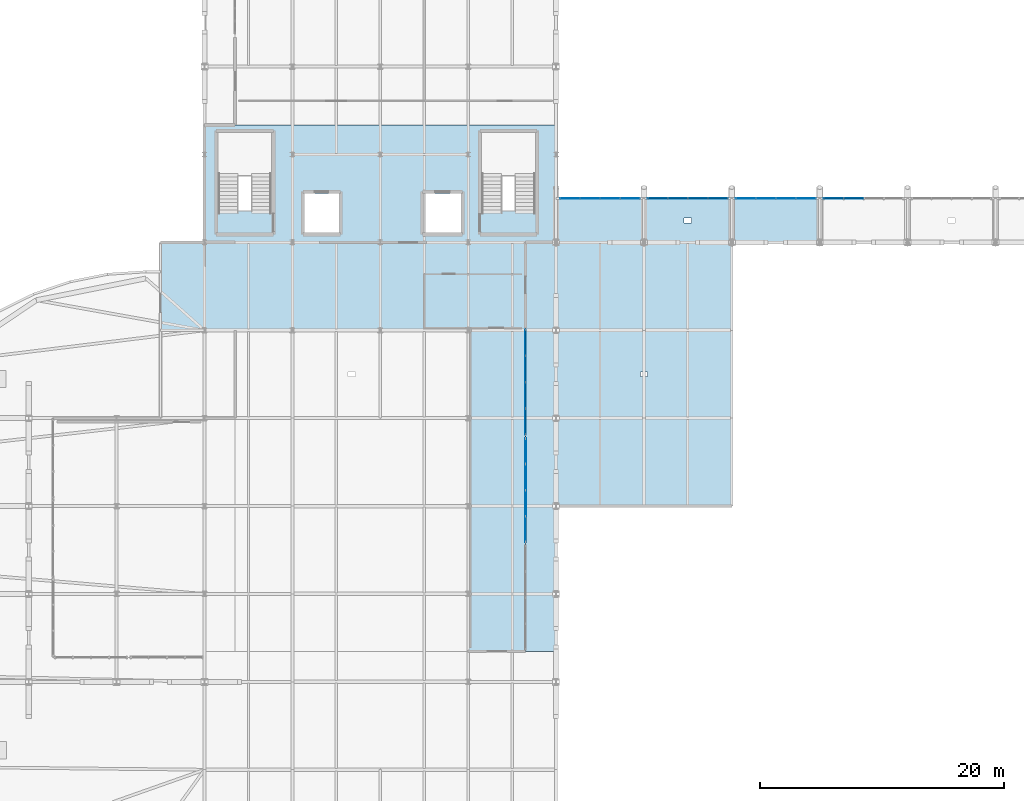
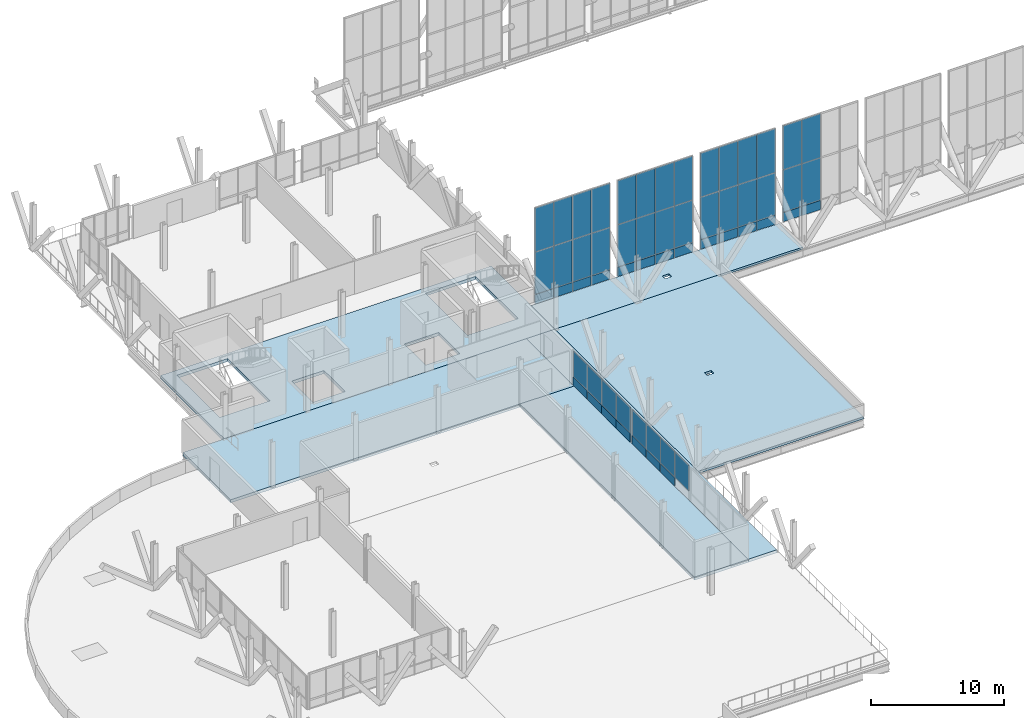
# One storey, part 75 of 102: 57 plates, 6 slabs, 6 elements without a shape of their own.
"""IFC4 building model written with IfcOpenShell, lengths in metres."""

from ifc_helpers import new_model, si_unit, direction, frame, origin, origin_2d, place, context, subcontext, project, spatial, polyline, rectangle, outline, extrude, material, layer, layer_set, type_object, element, aggregate, save


model = new_model("IFC4")

# Units and contexts
model_context = context("Model", 3, precision=1e-05, world=origin(), true_north=direction((0.0, 1.0)))
body_context = subcontext(model_context, "Body", "Model", "MODEL_VIEW")
ifc_project = project(units=[si_unit("LENGTHUNIT", "METRE"), si_unit("AREAUNIT", "SQUARE_METRE"), si_unit("VOLUMEUNIT", "CUBIC_METRE"), si_unit("PLANEANGLEUNIT", "RADIAN"), si_unit("MASSUNIT", "GRAM", prefix="KILO")], contexts=[model_context])

# Site, building, storey
site_placement = place(None, origin())
site = spatial("IfcSite", under=ifc_project, at=site_placement, CompositionType="ELEMENT")
building_placement = place(site_placement, origin())
building = spatial("IfcBuilding", under=site, at=building_placement, Name="Yarey Park Central Fire Station", CompositionType="ELEMENT")
storey_placement = place(building_placement, frame((0.0, 0.0, 6.0)))
storey = spatial("IfcBuildingStorey", under=building, at=storey_placement, Name="L02", CompositionType="ELEMENT", Elevation=6.0)

# Curtain wall, plates
ifc_material_1 = material(Name="Anodized Aluminium Frame", Category="aluminium")
curtain_wall_type_1 = type_object("IfcCurtainWallType", Name="ENV_CW_CLER_9M", PredefinedType="NOTDEFINED", material=ifc_material_1)
curtain_wall_1_placement = place(storey_placement, origin())
curtain_wall_1 = element("IfcCurtainWall", 1, at=curtain_wall_1_placement, inside=storey, type_object=curtain_wall_type_1, Name="CW_V2_CLER_S_01", PredefinedType="NOTDEFINED")
ifc_material_2 = material(Name="Insulated Aluminium Spandrel Panel", Category="aluminium")
ifc_layer_1 = layer(ifc_material_2, 0.068115234375)
ifc_layer_set_1 = layer_set([ifc_layer_1], Name="Insulated Aluminium Spandrel Panel")
plate_type_1 = type_object("IfcPlateType", Name="ENV_PNL_SPN_02", PredefinedType="CURTAIN_PANEL", material=ifc_layer_set_1)
plate_1_placement = place(storey_placement, frame((58.732421875, 61.199951171875, 0.04248046875), z_axis=(0.0, 0.0, 1.0), x_axis=(1.0, 0.0, 0.0)))
plate_1 = element("IfcPlate", 2, at=plate_1_placement, type_object=plate_type_1, Name="CW_V2_CLER_S_01_PNL01", PredefinedType="CURTAIN_PANEL", context=body_context, shape_type="SweptSolid", body=[
    extrude(rectangle(XDim=1.60498046875, YDim=0.068115234375, at=origin_2d()), origin(), (0.0, 0.0, 1.0), 0.840087890625),
])
plate_2_placement = place(storey_placement, frame((60.37744140625, 61.199951171875, 0.04248046875), z_axis=(0.0, 0.0, 1.0), x_axis=(1.0, 0.0, 0.0)))
plate_2 = element("IfcPlate", 3, at=plate_2_placement, type_object=plate_type_1, Name="CW_V2_CLER_S_01_PNL04", PredefinedType="CURTAIN_PANEL", context=body_context, shape_type="SweptSolid", body=[
    extrude(rectangle(XDim=1.60498046875, YDim=0.068115234375, at=origin_2d()), origin(), (0.0, 0.0, 1.0), 0.840087890625),
])
plate_3_placement = place(storey_placement, frame((62.0224609375, 61.199951171875, 0.04248046875), z_axis=(0.0, 0.0, 1.0), x_axis=(1.0, 0.0, 0.0)))
plate_3 = element("IfcPlate", 4, at=plate_3_placement, type_object=plate_type_1, Name="CW_V2_CLER_S_01_PNL07", PredefinedType="CURTAIN_PANEL", context=body_context, shape_type="SweptSolid", body=[
    extrude(rectangle(XDim=1.60498046875, YDim=0.068115234375, at=origin_2d()), origin(), (0.0, 0.0, 1.0), 0.840087890625),
])
plate_4_placement = place(storey_placement, frame((63.66748046875, 61.199951171875, 0.04248046875), z_axis=(0.0, 0.0, 1.0), x_axis=(1.0, 0.0, 0.0)))
plate_4 = element("IfcPlate", 5, at=plate_4_placement, type_object=plate_type_1, Name="CW_V2_CLER_S_01_PNL10", PredefinedType="CURTAIN_PANEL", context=body_context, shape_type="SweptSolid", body=[
    extrude(rectangle(XDim=1.60498046875, YDim=0.068115234375, at=origin_2d()), origin(), (0.0, 0.0, 1.0), 0.840087890625),
])

curtain_wall_2_placement = place(storey_placement, origin())
curtain_wall_2 = element("IfcCurtainWall", 6, at=curtain_wall_2_placement, inside=storey, type_object=curtain_wall_type_1, Name="CW_V2_CLER_S_03", PredefinedType="NOTDEFINED")
plate_5_placement = place(storey_placement, frame((73.132568359375, 61.199951171875, 0.04248046875), z_axis=(0.0, 0.0, 1.0), x_axis=(1.0, 0.0, 0.0)))
plate_5 = element("IfcPlate", 7, at=plate_5_placement, type_object=plate_type_1, Name="CW_V2_CLER_S_03_PNL01", PredefinedType="CURTAIN_PANEL", context=body_context, shape_type="SweptSolid", body=[
    extrude(rectangle(XDim=1.60498046875, YDim=0.068115234375, at=origin_2d()), origin(), (0.0, 0.0, 1.0), 0.840087890625),
])
plate_6_placement = place(storey_placement, frame((74.777587890625, 61.199951171875, 0.04248046875), z_axis=(0.0, 0.0, 1.0), x_axis=(1.0, 0.0, 0.0)))
plate_6 = element("IfcPlate", 8, at=plate_6_placement, type_object=plate_type_1, Name="CW_V2_CLER_S_03_PNL04", PredefinedType="CURTAIN_PANEL", context=body_context, shape_type="SweptSolid", body=[
    extrude(rectangle(XDim=1.60498046875, YDim=0.068115234375, at=origin_2d()), origin(), (0.0, 0.0, 1.0), 0.840087890625),
])
plate_7_placement = place(storey_placement, frame((76.422607421875, 61.199951171875, 0.04248046875), z_axis=(0.0, 0.0, 1.0), x_axis=(1.0, 0.0, 0.0)))
plate_7 = element("IfcPlate", 9, at=plate_7_placement, type_object=plate_type_1, Name="CW_V2_CLER_S_03_PNL07", PredefinedType="CURTAIN_PANEL", context=body_context, shape_type="SweptSolid", body=[
    extrude(rectangle(XDim=1.60498046875, YDim=0.068115234375, at=origin_2d()), origin(), (0.0, 0.0, 1.0), 0.840087890625),
])
plate_8_placement = place(storey_placement, frame((78.0673828125, 61.199951171875, 0.04248046875), z_axis=(0.0, 0.0, 1.0), x_axis=(1.0, 0.0, 0.0)))
plate_8 = element("IfcPlate", 10, at=plate_8_placement, type_object=plate_type_1, Name="CW_V2_CLER_S_03_PNL10", PredefinedType="CURTAIN_PANEL", context=body_context, shape_type="SweptSolid", body=[
    extrude(rectangle(XDim=1.60498046875, YDim=0.068115234375, at=origin_2d()), origin(), (0.0, 0.0, 1.0), 0.840087890625),
])

curtain_wall_type_2 = type_object("IfcCurtainWallType", Name="ENV_CW_V3_GALW", PredefinedType="NOTDEFINED", material=ifc_material_1)
curtain_wall_3_placement = place(storey_placement, origin())
curtain_wall_3 = element("IfcCurtainWall", 11, at=curtain_wall_3_placement, inside=storey, type_object=curtain_wall_type_2, Name="CW_L02_V1_E_038", PredefinedType="NOTDEFINED")
ifc_layer_2 = layer(ifc_material_2, 0.077880859375)
ifc_layer_set_2 = layer_set([ifc_layer_2], Name="Insulated Aluminium Spandrel Panel")
plate_type_2 = type_object("IfcPlateType", Name="ENV_PNL_SPN_03", PredefinedType="CURTAIN_PANEL", material=ifc_layer_set_2)
plate_9_placement = place(storey_placement, frame((55.10009765625, 36.22998046875, 0.04248046875), z_axis=(0.0, 0.0, 1.0), x_axis=(0.0, 1.0, 0.0)))
plate_9 = element("IfcPlate", 12, at=plate_9_placement, type_object=plate_type_2, Name="CW_L02_V1_E_038_PNL03", PredefinedType="CURTAIN_PANEL", context=body_context, shape_type="SweptSolid", body=[
    extrude(rectangle(XDim=2.10009765625, YDim=0.077880859375, at=origin_2d()), origin(), (0.0, 0.0, 1.0), 0.7900390625),
])
plate_10_placement = place(storey_placement, frame((55.10009765625, 38.3701171875, 0.04248046875), z_axis=(0.0, 0.0, 1.0), x_axis=(0.0, 1.0, 0.0)))
plate_10 = element("IfcPlate", 13, at=plate_10_placement, type_object=plate_type_2, Name="CW_L02_V1_E_038_PNL05", PredefinedType="CURTAIN_PANEL", context=body_context, shape_type="SweptSolid", body=[
    extrude(rectangle(XDim=2.10009765625, YDim=0.077880859375, at=origin_2d()), origin(), (0.0, 0.0, 1.0), 0.7900390625),
])
plate_11_placement = place(storey_placement, frame((55.10009765625, 40.510009765625, 0.04248046875), z_axis=(0.0, 0.0, 1.0), x_axis=(0.0, 1.0, 0.0)))
plate_11 = element("IfcPlate", 14, at=plate_11_placement, type_object=plate_type_2, Name="CW_L02_V1_E_038_PNL07", PredefinedType="CURTAIN_PANEL", context=body_context, shape_type="SweptSolid", body=[
    extrude(rectangle(XDim=2.10009765625, YDim=0.077880859375, at=origin_2d()), origin(), (0.0, 0.0, 1.0), 0.7900390625),
])

curtain_wall_4_placement = place(storey_placement, origin())
curtain_wall_4 = element("IfcCurtainWall", 15, at=curtain_wall_4_placement, inside=storey, type_object=curtain_wall_type_1, Name="CW_V2_CLER_S_02", PredefinedType="NOTDEFINED")
ifc_layer_3 = layer(ifc_material_2, 0.087890625)
ifc_layer_set_3 = layer_set([ifc_layer_3], Name="Insulated Aluminium Spandrel Panel")
plate_type_3 = type_object("IfcPlateType", Name="ENV_PNL_SPN_04", PredefinedType="CURTAIN_PANEL", material=ifc_layer_set_3)
plate_12_placement = place(storey_placement, frame((65.9326171875, 61.199951171875, 0.04248046875), z_axis=(0.0, 0.0, 1.0), x_axis=(1.0, 0.0, 0.0)))
plate_12 = element("IfcPlate", 16, at=plate_12_placement, type_object=plate_type_3, Name="CW_V2_CLER_S_02_PNL01", PredefinedType="CURTAIN_PANEL", context=body_context, shape_type="SweptSolid", body=[
    extrude(rectangle(XDim=1.60498046875, YDim=0.087890625, at=origin_2d()), origin(), (0.0, 0.0, 1.0), 0.840087890625),
])
plate_13_placement = place(storey_placement, frame((67.577392578125, 61.199951171875, 0.04248046875), z_axis=(0.0, 0.0, 1.0), x_axis=(1.0, 0.0, 0.0)))
plate_13 = element("IfcPlate", 17, at=plate_13_placement, type_object=plate_type_3, Name="CW_V2_CLER_S_02_PNL04", PredefinedType="CURTAIN_PANEL", context=body_context, shape_type="SweptSolid", body=[
    extrude(rectangle(XDim=1.60498046875, YDim=0.087890625, at=origin_2d()), origin(), (0.0, 0.0, 1.0), 0.840087890625),
])
plate_14_placement = place(storey_placement, frame((69.222412109375, 61.199951171875, 0.04248046875), z_axis=(0.0, 0.0, 1.0), x_axis=(1.0, 0.0, 0.0)))
plate_14 = element("IfcPlate", 18, at=plate_14_placement, type_object=plate_type_3, Name="CW_V2_CLER_S_02_PNL07", PredefinedType="CURTAIN_PANEL", context=body_context, shape_type="SweptSolid", body=[
    extrude(rectangle(XDim=1.60498046875, YDim=0.087890625, at=origin_2d()), origin(), (0.0, 0.0, 1.0), 0.840087890625),
])
plate_15_placement = place(storey_placement, frame((70.867431640625, 61.199951171875, 0.04248046875), z_axis=(0.0, 0.0, 1.0), x_axis=(1.0, 0.0, 0.0)))
plate_15 = element("IfcPlate", 19, at=plate_15_placement, type_object=plate_type_3, Name="CW_V2_CLER_S_02_PNL10", PredefinedType="CURTAIN_PANEL", context=body_context, shape_type="SweptSolid", body=[
    extrude(rectangle(XDim=1.60498046875, YDim=0.087890625, at=origin_2d()), origin(), (0.0, 0.0, 1.0), 0.840087890625),
])

curtain_wall_5_placement = place(storey_placement, origin())
curtain_wall_5 = element("IfcCurtainWall", 20, at=curtain_wall_5_placement, inside=storey, type_object=curtain_wall_type_1, Name="CW_V2_CLER_S_04", PredefinedType="NOTDEFINED")
plate_16_placement = place(storey_placement, frame((80.33251953125, 61.199951171875, 0.04248046875), z_axis=(0.0, 0.0, 1.0), x_axis=(1.0, 0.0, 0.0)))
plate_16 = element("IfcPlate", 21, at=plate_16_placement, type_object=plate_type_3, Name="CW_V2_CLER_S_04_PNL01", PredefinedType="CURTAIN_PANEL", context=body_context, shape_type="SweptSolid", body=[
    extrude(rectangle(XDim=1.60498046875, YDim=0.087890625, at=origin_2d()), origin(), (0.0, 0.0, 1.0), 0.840087890625),
])
plate_17_placement = place(storey_placement, frame((81.9775390625, 61.199951171875, 0.04248046875), z_axis=(0.0, 0.0, 1.0), x_axis=(1.0, 0.0, 0.0)))
plate_17 = element("IfcPlate", 22, at=plate_17_placement, type_object=plate_type_3, Name="CW_V2_CLER_S_04_PNL04", PredefinedType="CURTAIN_PANEL", context=body_context, shape_type="SweptSolid", body=[
    extrude(rectangle(XDim=1.60498046875, YDim=0.087890625, at=origin_2d()), origin(), (0.0, 0.0, 1.0), 0.840087890625),
])

curtain_wall_6_placement = place(storey_placement, origin())
curtain_wall_6 = element("IfcCurtainWall", 23, at=curtain_wall_6_placement, inside=storey, type_object=curtain_wall_type_2, Name="CW_L02_V1_E_039", PredefinedType="NOTDEFINED")
plate_18_placement = place(storey_placement, frame((55.10009765625, 42.902587890625, 0.04248046875), z_axis=(0.0, 0.0, 1.0), x_axis=(0.0, 1.0, 0.0)))
plate_18 = element("IfcPlate", 24, at=plate_18_placement, type_object=plate_type_3, Name="CW_L02_V1_E_039_PNL01", PredefinedType="CURTAIN_PANEL", context=body_context, shape_type="SweptSolid", body=[
    extrude(rectangle(XDim=2.125, YDim=0.087890625, at=origin_2d()), origin(), (0.0, 0.0, 1.0), 0.7900390625),
])
plate_19_placement = place(storey_placement, frame((55.10009765625, 45.0673828125, 0.04248046875), z_axis=(0.0, 0.0, 1.0), x_axis=(0.0, 1.0, 0.0)))
plate_19 = element("IfcPlate", 25, at=plate_19_placement, type_object=plate_type_3, Name="CW_L02_V1_E_039_PNL03", PredefinedType="CURTAIN_PANEL", context=body_context, shape_type="SweptSolid", body=[
    extrude(rectangle(XDim=2.125, YDim=0.087890625, at=origin_2d()), origin(), (0.0, 0.0, 1.0), 0.7900390625),
])
plate_20_placement = place(storey_placement, frame((55.10009765625, 47.232421875, 0.04248046875), z_axis=(0.0, 0.0, 1.0), x_axis=(0.0, 1.0, 0.0)))
plate_20 = element("IfcPlate", 26, at=plate_20_placement, type_object=plate_type_3, Name="CW_L02_V1_E_039_PNL05", PredefinedType="CURTAIN_PANEL", context=body_context, shape_type="SweptSolid", body=[
    extrude(rectangle(XDim=2.125, YDim=0.087890625, at=origin_2d()), origin(), (0.0, 0.0, 1.0), 0.7900390625),
])
plate_21_placement = place(storey_placement, frame((55.10009765625, 49.3974609375, 0.04248046875), z_axis=(0.0, 0.0, 1.0), x_axis=(0.0, 1.0, 0.0)))
plate_21 = element("IfcPlate", 27, at=plate_21_placement, type_object=plate_type_3, Name="CW_L02_V1_E_039_PNL07", PredefinedType="CURTAIN_PANEL", context=body_context, shape_type="SweptSolid", body=[
    extrude(rectangle(XDim=2.125, YDim=0.087890625, at=origin_2d()), origin(), (0.0, 0.0, 1.0), 0.7900390625),
])

# Plate
ifc_material_3 = material(Name="Laminated Hurricane Low-E Glass", Category="glass")
ifc_layer_4 = layer(ifc_material_3, 0.031982421875)
ifc_layer_set_4 = layer_set([ifc_layer_4], Name="Laminated Hurricane Low-E Glass")
plate_type_4 = type_object("IfcPlateType", Name="ENV_PNL_VIS_02", PredefinedType="CURTAIN_PANEL", material=ifc_layer_set_4)
plate_22_placement = place(storey_placement, frame((58.732421875, 61.199951171875, 0.91748046875), z_axis=(0.0, 0.0, 1.0), x_axis=(1.0, 0.0, 0.0)))
plate_22 = element("IfcPlate", 28, at=plate_22_placement, type_object=plate_type_4, Name="CW_V2_CLER_S_01_PNL02", PredefinedType="CURTAIN_PANEL", context=body_context, shape_type="SweptSolid", body=[
    extrude(rectangle(XDim=1.60498046875, YDim=0.031982421875, at=origin_2d()), origin(), (0.0, 0.0, 1.0), 3.87109375),
])

plate_23_placement = place(storey_placement, frame((58.732421875, 61.199951171875, 4.82373046875), z_axis=(0.0, 0.0, 1.0), x_axis=(1.0, 0.0, 0.0)))
plate_23 = element("IfcPlate", 29, at=plate_23_placement, type_object=plate_type_4, Name="CW_V2_CLER_S_01_PNL03", PredefinedType="CURTAIN_PANEL", context=body_context, shape_type="SweptSolid", body=[
    extrude(rectangle(XDim=1.60498046875, YDim=0.031982421875, at=origin_2d()), origin(), (0.0, 0.0, 1.0), 4.033935546875),
])

plate_24_placement = place(storey_placement, frame((60.37744140625, 61.199951171875, 0.91748046875), z_axis=(0.0, 0.0, 1.0), x_axis=(1.0, 0.0, 0.0)))
plate_24 = element("IfcPlate", 30, at=plate_24_placement, type_object=plate_type_4, Name="CW_V2_CLER_S_01_PNL05", PredefinedType="CURTAIN_PANEL", context=body_context, shape_type="SweptSolid", body=[
    extrude(rectangle(XDim=1.60498046875, YDim=0.031982421875, at=origin_2d()), origin(), (0.0, 0.0, 1.0), 3.87109375),
])

plate_25_placement = place(storey_placement, frame((60.37744140625, 61.199951171875, 4.82373046875), z_axis=(0.0, 0.0, 1.0), x_axis=(1.0, 0.0, 0.0)))
plate_25 = element("IfcPlate", 31, at=plate_25_placement, type_object=plate_type_4, Name="CW_V2_CLER_S_01_PNL06", PredefinedType="CURTAIN_PANEL", context=body_context, shape_type="SweptSolid", body=[
    extrude(rectangle(XDim=1.60498046875, YDim=0.031982421875, at=origin_2d()), origin(), (0.0, 0.0, 1.0), 4.033935546875),
])

plate_26_placement = place(storey_placement, frame((62.0224609375, 61.199951171875, 0.91748046875), z_axis=(0.0, 0.0, 1.0), x_axis=(1.0, 0.0, 0.0)))
plate_26 = element("IfcPlate", 32, at=plate_26_placement, type_object=plate_type_4, Name="CW_V2_CLER_S_01_PNL08", PredefinedType="CURTAIN_PANEL", context=body_context, shape_type="SweptSolid", body=[
    extrude(rectangle(XDim=1.60498046875, YDim=0.031982421875, at=origin_2d()), origin(), (0.0, 0.0, 1.0), 3.87109375),
])

plate_27_placement = place(storey_placement, frame((62.0224609375, 61.199951171875, 4.82373046875), z_axis=(0.0, 0.0, 1.0), x_axis=(1.0, 0.0, 0.0)))
plate_27 = element("IfcPlate", 33, at=plate_27_placement, type_object=plate_type_4, Name="CW_V2_CLER_S_01_PNL09", PredefinedType="CURTAIN_PANEL", context=body_context, shape_type="SweptSolid", body=[
    extrude(rectangle(XDim=1.60498046875, YDim=0.031982421875, at=origin_2d()), origin(), (0.0, 0.0, 1.0), 4.033935546875),
])

plate_28_placement = place(storey_placement, frame((63.66748046875, 61.199951171875, 0.91748046875), z_axis=(0.0, 0.0, 1.0), x_axis=(1.0, 0.0, 0.0)))
plate_28 = element("IfcPlate", 34, at=plate_28_placement, type_object=plate_type_4, Name="CW_V2_CLER_S_01_PNL11", PredefinedType="CURTAIN_PANEL", context=body_context, shape_type="SweptSolid", body=[
    extrude(rectangle(XDim=1.60498046875, YDim=0.031982421875, at=origin_2d()), origin(), (0.0, 0.0, 1.0), 3.87109375),
])

plate_29_placement = place(storey_placement, frame((63.66748046875, 61.199951171875, 4.82373046875), z_axis=(0.0, 0.0, 1.0), x_axis=(1.0, 0.0, 0.0)))
plate_29 = element("IfcPlate", 35, at=plate_29_placement, type_object=plate_type_4, Name="CW_V2_CLER_S_01_PNL12", PredefinedType="CURTAIN_PANEL", context=body_context, shape_type="SweptSolid", body=[
    extrude(rectangle(XDim=1.60498046875, YDim=0.031982421875, at=origin_2d()), origin(), (0.0, 0.0, 1.0), 4.033935546875),
])

aggregate(curtain_wall_1, [plate_1, plate_22, plate_23, plate_2, plate_24, plate_25, plate_3, plate_26, plate_27, plate_4, plate_28, plate_29])

plate_30_placement = place(storey_placement, frame((73.132568359375, 61.199951171875, 0.91748046875), z_axis=(0.0, 0.0, 1.0), x_axis=(1.0, 0.0, 0.0)))
plate_30 = element("IfcPlate", 36, at=plate_30_placement, type_object=plate_type_4, Name="CW_V2_CLER_S_03_PNL02", PredefinedType="CURTAIN_PANEL", context=body_context, shape_type="SweptSolid", body=[
    extrude(rectangle(XDim=1.60498046875, YDim=0.031982421875, at=origin_2d()), origin(), (0.0, 0.0, 1.0), 3.87109375),
])

plate_31_placement = place(storey_placement, frame((73.132568359375, 61.199951171875, 4.82373046875), z_axis=(0.0, 0.0, 1.0), x_axis=(1.0, 0.0, 0.0)))
plate_31 = element("IfcPlate", 37, at=plate_31_placement, type_object=plate_type_4, Name="CW_V2_CLER_S_03_PNL03", PredefinedType="CURTAIN_PANEL", context=body_context, shape_type="SweptSolid", body=[
    extrude(rectangle(XDim=1.60498046875, YDim=0.031982421875, at=origin_2d()), origin(), (0.0, 0.0, 1.0), 4.033935546875),
])

plate_32_placement = place(storey_placement, frame((74.777587890625, 61.199951171875, 0.91748046875), z_axis=(0.0, 0.0, 1.0), x_axis=(1.0, 0.0, 0.0)))
plate_32 = element("IfcPlate", 38, at=plate_32_placement, type_object=plate_type_4, Name="CW_V2_CLER_S_03_PNL05", PredefinedType="CURTAIN_PANEL", context=body_context, shape_type="SweptSolid", body=[
    extrude(rectangle(XDim=1.60498046875, YDim=0.031982421875, at=origin_2d()), origin(), (0.0, 0.0, 1.0), 3.87109375),
])

plate_33_placement = place(storey_placement, frame((74.777587890625, 61.199951171875, 4.82373046875), z_axis=(0.0, 0.0, 1.0), x_axis=(1.0, 0.0, 0.0)))
plate_33 = element("IfcPlate", 39, at=plate_33_placement, type_object=plate_type_4, Name="CW_V2_CLER_S_03_PNL06", PredefinedType="CURTAIN_PANEL", context=body_context, shape_type="SweptSolid", body=[
    extrude(rectangle(XDim=1.60498046875, YDim=0.031982421875, at=origin_2d()), origin(), (0.0, 0.0, 1.0), 4.033935546875),
])

plate_34_placement = place(storey_placement, frame((76.422607421875, 61.199951171875, 0.91748046875), z_axis=(0.0, 0.0, 1.0), x_axis=(1.0, 0.0, 0.0)))
plate_34 = element("IfcPlate", 40, at=plate_34_placement, type_object=plate_type_4, Name="CW_V2_CLER_S_03_PNL08", PredefinedType="CURTAIN_PANEL", context=body_context, shape_type="SweptSolid", body=[
    extrude(rectangle(XDim=1.60498046875, YDim=0.031982421875, at=origin_2d()), origin(), (0.0, 0.0, 1.0), 3.87109375),
])

plate_35_placement = place(storey_placement, frame((76.422607421875, 61.199951171875, 4.82373046875), z_axis=(0.0, 0.0, 1.0), x_axis=(1.0, 0.0, 0.0)))
plate_35 = element("IfcPlate", 41, at=plate_35_placement, type_object=plate_type_4, Name="CW_V2_CLER_S_03_PNL09", PredefinedType="CURTAIN_PANEL", context=body_context, shape_type="SweptSolid", body=[
    extrude(rectangle(XDim=1.60498046875, YDim=0.031982421875, at=origin_2d()), origin(), (0.0, 0.0, 1.0), 4.033935546875),
])

plate_36_placement = place(storey_placement, frame((78.0673828125, 61.199951171875, 0.91748046875), z_axis=(0.0, 0.0, 1.0), x_axis=(1.0, 0.0, 0.0)))
plate_36 = element("IfcPlate", 42, at=plate_36_placement, type_object=plate_type_4, Name="CW_V2_CLER_S_03_PNL11", PredefinedType="CURTAIN_PANEL", context=body_context, shape_type="SweptSolid", body=[
    extrude(rectangle(XDim=1.60498046875, YDim=0.031982421875, at=origin_2d()), origin(), (0.0, 0.0, 1.0), 3.87109375),
])

plate_37_placement = place(storey_placement, frame((78.0673828125, 61.199951171875, 4.82373046875), z_axis=(0.0, 0.0, 1.0), x_axis=(1.0, 0.0, 0.0)))
plate_37 = element("IfcPlate", 43, at=plate_37_placement, type_object=plate_type_4, Name="CW_V2_CLER_S_03_PNL12", PredefinedType="CURTAIN_PANEL", context=body_context, shape_type="SweptSolid", body=[
    extrude(rectangle(XDim=1.60498046875, YDim=0.031982421875, at=origin_2d()), origin(), (0.0, 0.0, 1.0), 4.033935546875),
])

aggregate(curtain_wall_2, [plate_5, plate_30, plate_31, plate_6, plate_32, plate_33, plate_7, plate_34, plate_35, plate_8, plate_36, plate_37])

ifc_layer_5 = layer(ifc_material_3, 0.0380859375)
ifc_layer_set_5 = layer_set([ifc_layer_5], Name="Laminated Hurricane Low-E Glass")
plate_type_5 = type_object("IfcPlateType", Name="ENV_PNL_VIS_03", PredefinedType="CURTAIN_PANEL", material=ifc_layer_set_5)
plate_38_placement = place(storey_placement, frame((55.10009765625, 34.090087890625, 0.867431640625), z_axis=(0.0, 0.0, 1.0), x_axis=(0.0, 1.0, 0.0)))
plate_38 = element("IfcPlate", 44, at=plate_38_placement, type_object=plate_type_5, Name="CW_L02_V1_E_038_PNL02", PredefinedType="CURTAIN_PANEL", context=body_context, shape_type="SweptSolid", body=[
    extrude(rectangle(XDim=2.10009765625, YDim=0.0380859375, at=origin_2d()), origin(), (0.0, 0.0, 1.0), 2.3369140625),
])

plate_39_placement = place(storey_placement, frame((55.10009765625, 36.22998046875, 0.867431640625), z_axis=(0.0, 0.0, 1.0), x_axis=(0.0, 1.0, 0.0)))
plate_39 = element("IfcPlate", 45, at=plate_39_placement, type_object=plate_type_5, Name="CW_L02_V1_E_038_PNL04", PredefinedType="CURTAIN_PANEL", context=body_context, shape_type="SweptSolid", body=[
    extrude(rectangle(XDim=2.10009765625, YDim=0.0380859375, at=origin_2d()), origin(), (0.0, 0.0, 1.0), 2.3369140625),
])

plate_40_placement = place(storey_placement, frame((55.10009765625, 38.3701171875, 0.867431640625), z_axis=(0.0, 0.0, 1.0), x_axis=(0.0, 1.0, 0.0)))
plate_40 = element("IfcPlate", 46, at=plate_40_placement, type_object=plate_type_5, Name="CW_L02_V1_E_038_PNL06", PredefinedType="CURTAIN_PANEL", context=body_context, shape_type="SweptSolid", body=[
    extrude(rectangle(XDim=2.10009765625, YDim=0.0380859375, at=origin_2d()), origin(), (0.0, 0.0, 1.0), 2.3369140625),
])

plate_41_placement = place(storey_placement, frame((55.10009765625, 40.510009765625, 0.867431640625), z_axis=(0.0, 0.0, 1.0), x_axis=(0.0, 1.0, 0.0)))
plate_41 = element("IfcPlate", 47, at=plate_41_placement, type_object=plate_type_5, Name="CW_L02_V1_E_038_PNL08", PredefinedType="CURTAIN_PANEL", context=body_context, shape_type="SweptSolid", body=[
    extrude(rectangle(XDim=2.10009765625, YDim=0.0380859375, at=origin_2d()), origin(), (0.0, 0.0, 1.0), 2.3369140625),
])

aggregate(curtain_wall_3, [plate_38, plate_9, plate_39, plate_10, plate_40, plate_11, plate_41])

ifc_layer_6 = layer(ifc_material_3, 0.0458984375)
ifc_layer_set_6 = layer_set([ifc_layer_6], Name="Laminated Hurricane Low-E Glass")
plate_type_6 = type_object("IfcPlateType", Name="ENV_PNL_VIS_04", PredefinedType="CURTAIN_PANEL", material=ifc_layer_set_6)
plate_42_placement = place(storey_placement, frame((65.9326171875, 61.199951171875, 0.91748046875), z_axis=(0.0, 0.0, 1.0), x_axis=(1.0, 0.0, 0.0)))
plate_42 = element("IfcPlate", 48, at=plate_42_placement, type_object=plate_type_6, Name="CW_V2_CLER_S_02_PNL02", PredefinedType="CURTAIN_PANEL", context=body_context, shape_type="SweptSolid", body=[
    extrude(rectangle(XDim=1.60498046875, YDim=0.0458984375, at=origin_2d()), origin(), (0.0, 0.0, 1.0), 3.87109375),
])

plate_43_placement = place(storey_placement, frame((65.9326171875, 61.199951171875, 4.82373046875), z_axis=(0.0, 0.0, 1.0), x_axis=(1.0, 0.0, 0.0)))
plate_43 = element("IfcPlate", 49, at=plate_43_placement, type_object=plate_type_6, Name="CW_V2_CLER_S_02_PNL03", PredefinedType="CURTAIN_PANEL", context=body_context, shape_type="SweptSolid", body=[
    extrude(rectangle(XDim=1.60498046875, YDim=0.0458984375, at=origin_2d()), origin(), (0.0, 0.0, 1.0), 4.033935546875),
])

plate_44_placement = place(storey_placement, frame((67.577392578125, 61.199951171875, 0.91748046875), z_axis=(0.0, 0.0, 1.0), x_axis=(1.0, 0.0, 0.0)))
plate_44 = element("IfcPlate", 50, at=plate_44_placement, type_object=plate_type_6, Name="CW_V2_CLER_S_02_PNL05", PredefinedType="CURTAIN_PANEL", context=body_context, shape_type="SweptSolid", body=[
    extrude(rectangle(XDim=1.60498046875, YDim=0.0458984375, at=origin_2d()), origin(), (0.0, 0.0, 1.0), 3.87109375),
])

plate_45_placement = place(storey_placement, frame((67.577392578125, 61.199951171875, 4.82373046875), z_axis=(0.0, 0.0, 1.0), x_axis=(1.0, 0.0, 0.0)))
plate_45 = element("IfcPlate", 51, at=plate_45_placement, type_object=plate_type_6, Name="CW_V2_CLER_S_02_PNL06", PredefinedType="CURTAIN_PANEL", context=body_context, shape_type="SweptSolid", body=[
    extrude(rectangle(XDim=1.60498046875, YDim=0.0458984375, at=origin_2d()), origin(), (0.0, 0.0, 1.0), 4.033935546875),
])

plate_46_placement = place(storey_placement, frame((69.222412109375, 61.199951171875, 0.91748046875), z_axis=(0.0, 0.0, 1.0), x_axis=(1.0, 0.0, 0.0)))
plate_46 = element("IfcPlate", 52, at=plate_46_placement, type_object=plate_type_6, Name="CW_V2_CLER_S_02_PNL08", PredefinedType="CURTAIN_PANEL", context=body_context, shape_type="SweptSolid", body=[
    extrude(rectangle(XDim=1.60498046875, YDim=0.0458984375, at=origin_2d()), origin(), (0.0, 0.0, 1.0), 3.87109375),
])

plate_47_placement = place(storey_placement, frame((69.222412109375, 61.199951171875, 4.82373046875), z_axis=(0.0, 0.0, 1.0), x_axis=(1.0, 0.0, 0.0)))
plate_47 = element("IfcPlate", 53, at=plate_47_placement, type_object=plate_type_6, Name="CW_V2_CLER_S_02_PNL09", PredefinedType="CURTAIN_PANEL", context=body_context, shape_type="SweptSolid", body=[
    extrude(rectangle(XDim=1.60498046875, YDim=0.0458984375, at=origin_2d()), origin(), (0.0, 0.0, 1.0), 4.033935546875),
])

plate_48_placement = place(storey_placement, frame((70.867431640625, 61.199951171875, 0.91748046875), z_axis=(0.0, 0.0, 1.0), x_axis=(1.0, 0.0, 0.0)))
plate_48 = element("IfcPlate", 54, at=plate_48_placement, type_object=plate_type_6, Name="CW_V2_CLER_S_02_PNL11", PredefinedType="CURTAIN_PANEL", context=body_context, shape_type="SweptSolid", body=[
    extrude(rectangle(XDim=1.60498046875, YDim=0.0458984375, at=origin_2d()), origin(), (0.0, 0.0, 1.0), 3.87109375),
])

plate_49_placement = place(storey_placement, frame((70.867431640625, 61.199951171875, 4.82373046875), z_axis=(0.0, 0.0, 1.0), x_axis=(1.0, 0.0, 0.0)))
plate_49 = element("IfcPlate", 55, at=plate_49_placement, type_object=plate_type_6, Name="CW_V2_CLER_S_02_PNL12", PredefinedType="CURTAIN_PANEL", context=body_context, shape_type="SweptSolid", body=[
    extrude(rectangle(XDim=1.60498046875, YDim=0.0458984375, at=origin_2d()), origin(), (0.0, 0.0, 1.0), 4.033935546875),
])

aggregate(curtain_wall_4, [plate_12, plate_42, plate_43, plate_13, plate_44, plate_45, plate_14, plate_46, plate_47, plate_15, plate_48, plate_49])

plate_50_placement = place(storey_placement, frame((80.33251953125, 61.199951171875, 0.91748046875), z_axis=(0.0, 0.0, 1.0), x_axis=(1.0, 0.0, 0.0)))
plate_50 = element("IfcPlate", 56, at=plate_50_placement, type_object=plate_type_6, Name="CW_V2_CLER_S_04_PNL02", PredefinedType="CURTAIN_PANEL", context=body_context, shape_type="SweptSolid", body=[
    extrude(rectangle(XDim=1.60498046875, YDim=0.0458984375, at=origin_2d()), origin(), (0.0, 0.0, 1.0), 3.87109375),
])

plate_51_placement = place(storey_placement, frame((80.33251953125, 61.199951171875, 4.82373046875), z_axis=(0.0, 0.0, 1.0), x_axis=(1.0, 0.0, 0.0)))
plate_51 = element("IfcPlate", 57, at=plate_51_placement, type_object=plate_type_6, Name="CW_V2_CLER_S_04_PNL03", PredefinedType="CURTAIN_PANEL", context=body_context, shape_type="SweptSolid", body=[
    extrude(rectangle(XDim=1.60498046875, YDim=0.0458984375, at=origin_2d()), origin(), (0.0, 0.0, 1.0), 4.033935546875),
])

plate_52_placement = place(storey_placement, frame((81.9775390625, 61.199951171875, 0.91748046875), z_axis=(0.0, 0.0, 1.0), x_axis=(1.0, 0.0, 0.0)))
plate_52 = element("IfcPlate", 58, at=plate_52_placement, type_object=plate_type_6, Name="CW_V2_CLER_S_04_PNL05", PredefinedType="CURTAIN_PANEL", context=body_context, shape_type="SweptSolid", body=[
    extrude(rectangle(XDim=1.60498046875, YDim=0.0458984375, at=origin_2d()), origin(), (0.0, 0.0, 1.0), 3.87109375),
])

plate_53_placement = place(storey_placement, frame((81.9775390625, 61.199951171875, 4.82373046875), z_axis=(0.0, 0.0, 1.0), x_axis=(1.0, 0.0, 0.0)))
plate_53 = element("IfcPlate", 59, at=plate_53_placement, type_object=plate_type_6, Name="CW_V2_CLER_S_04_PNL06", PredefinedType="CURTAIN_PANEL", context=body_context, shape_type="SweptSolid", body=[
    extrude(rectangle(XDim=1.60498046875, YDim=0.0458984375, at=origin_2d()), origin(), (0.0, 0.0, 1.0), 4.033935546875),
])

aggregate(curtain_wall_5, [plate_16, plate_50, plate_51, plate_17, plate_52, plate_53])

plate_54_placement = place(storey_placement, frame((55.10009765625, 42.902587890625, 0.867431640625), z_axis=(0.0, 0.0, 1.0), x_axis=(0.0, 1.0, 0.0)))
plate_54 = element("IfcPlate", 60, at=plate_54_placement, type_object=plate_type_6, Name="CW_L02_V1_E_039_PNL02", PredefinedType="CURTAIN_PANEL", context=body_context, shape_type="SweptSolid", body=[
    extrude(rectangle(XDim=2.125, YDim=0.0458984375, at=origin_2d()), origin(), (0.0, 0.0, 1.0), 2.3369140625),
])

plate_55_placement = place(storey_placement, frame((55.10009765625, 45.0673828125, 0.867431640625), z_axis=(0.0, 0.0, 1.0), x_axis=(0.0, 1.0, 0.0)))
plate_55 = element("IfcPlate", 61, at=plate_55_placement, type_object=plate_type_6, Name="CW_L02_V1_E_039_PNL04", PredefinedType="CURTAIN_PANEL", context=body_context, shape_type="SweptSolid", body=[
    extrude(rectangle(XDim=2.125, YDim=0.0458984375, at=origin_2d()), origin(), (0.0, 0.0, 1.0), 2.3369140625),
])

plate_56_placement = place(storey_placement, frame((55.10009765625, 47.232421875, 0.867431640625), z_axis=(0.0, 0.0, 1.0), x_axis=(0.0, 1.0, 0.0)))
plate_56 = element("IfcPlate", 62, at=plate_56_placement, type_object=plate_type_6, Name="CW_L02_V1_E_039_PNL06", PredefinedType="CURTAIN_PANEL", context=body_context, shape_type="SweptSolid", body=[
    extrude(rectangle(XDim=2.125, YDim=0.0458984375, at=origin_2d()), origin(), (0.0, 0.0, 1.0), 2.3369140625),
])

plate_57_placement = place(storey_placement, frame((55.10009765625, 49.3974609375, 0.867431640625), z_axis=(0.0, 0.0, 1.0), x_axis=(0.0, 1.0, 0.0)))
plate_57 = element("IfcPlate", 63, at=plate_57_placement, type_object=plate_type_6, Name="CW_L02_V1_E_039_PNL08", PredefinedType="CURTAIN_PANEL", context=body_context, shape_type="SweptSolid", body=[
    extrude(rectangle(XDim=2.125, YDim=0.0458984375, at=origin_2d()), origin(), (0.0, 0.0, 1.0), 2.3369140625),
])

aggregate(curtain_wall_6, [plate_18, plate_54, plate_19, plate_55, plate_20, plate_56, plate_21, plate_57])

# Slabs
ifc_material_4 = material(Name="Concrete C40/50", Category="concrete")
ifc_layer_7 = layer(ifc_material_4, 0.195068359375)
ifc_layer_set_7 = layer_set([ifc_layer_7], Name="Concrete C40/50")
slab_type_1 = type_object("IfcSlabType", Name="STR_ROOF_FLAT195", PredefinedType="ROOF", material=ifc_layer_set_7)
slab_1_placement = place(storey_placement, frame((0.0, 0.0, -0.195068359375)))
element("IfcSlab", 64, at=slab_1_placement, inside=storey, type_object=slab_type_1, Name="ROOF_L02_V2_EAVE_S1", PredefinedType="ROOF", context=body_context, shape_type="SweptSolid", body=[
    extrude(outline(polyline([(57.60009765625, 57.60009765625), (79.199951171875, 57.60009765625), (79.199951171875, 61.199951171875), (57.60009765625, 61.199951171875), (57.60009765625, 57.60009765625)]), holes=[polyline([(68.10009765625, 59.199951171875), (68.699951171875, 59.199951171875), (68.699951171875, 59.60009765625), (68.10009765625, 59.60009765625), (68.10009765625, 59.199951171875)])]), origin(), (0.0, 0.0, 1.0), 0.195068359375),
])
ifc_layer_8 = layer(ifc_material_4, 0.2099609375)
ifc_layer_set_8 = layer_set([ifc_layer_8], Name="Concrete C40/50")
slab_type_2 = type_object("IfcSlabType", Name="STR_ROOF_FLAT210", PredefinedType="ROOF", material=ifc_layer_set_8)
slab_2_placement = place(storey_placement, frame((0.0, 0.0, -0.2099609375)))
element("IfcSlab", 65, at=slab_2_placement, inside=storey, type_object=slab_type_2, Name="ROOF_L02_V3_SE", PredefinedType="ROOF", context=body_context, shape_type="SweptSolid", body=[
    extrude(outline(polyline([(57.60009765625, 36.0), (72.0, 36.0), (72.0, 57.60009765625), (57.60009765625, 57.60009765625), (57.60009765625, 36.0)]), holes=[polyline([(64.5, 46.60009765625), (65.10009765625, 46.60009765625), (65.10009765625, 47.0), (64.5, 47.0), (64.5, 46.60009765625)])]), origin(), (0.0, 0.0, 1.0), 0.2099609375),
])
ifc_material_5 = material(Name="Concrete C35/45", Category="concrete")
ifc_layer_9 = layer(ifc_material_5, 0.27001953125)
ifc_layer_set_9 = layer_set([ifc_layer_9], Name="Concrete C35/45")
slab_type_3 = type_object("IfcSlabType", Name="STR_SLAB_EXT270", PredefinedType="FLOOR", material=ifc_layer_set_9)
slab_3_placement = place(storey_placement, frame((0.0, 0.0, -0.27001953125)))
element("IfcSlab", 66, at=slab_3_placement, inside=storey, type_object=slab_type_3, Name="SLAB_L02_V1_VER_E", PredefinedType="FLOOR", context=body_context, shape_type="SweptSolid", body=[
    extrude(outline(polyline([(55.10009765625, 24.10009765625), (57.60009765625, 24.10009765625), (57.60009765625, 57.60009765625), (55.10009765625, 57.60009765625), (55.10009765625, 24.10009765625)])), origin(), (0.0, 0.0, 1.0), 0.27001953125),
])
ifc_layer_10 = layer(ifc_material_4, 0.284912109375)
ifc_layer_set_10 = layer_set([ifc_layer_10], Name="Concrete C40/50")
slab_type_4 = type_object("IfcSlabType", Name="STR_SLAB_F285", PredefinedType="FLOOR", material=ifc_layer_set_10)
slab_4_placement = place(storey_placement, frame((0.0, 0.0, -0.284912109375)))
element("IfcSlab", 67, at=slab_4_placement, inside=storey, type_object=slab_type_4, Name="SLAB_L02_V1_GAL_E", PredefinedType="FLOOR", context=body_context, shape_type="SweptSolid", body=[
    extrude(outline(polyline([(50.39990234375, 24.10009765625), (55.10009765625, 24.10009765625), (55.10009765625, 50.39990234375), (50.39990234375, 50.39990234375), (50.39990234375, 24.10009765625)])), origin(), (0.0, 0.0, 1.0), 0.284912109375),
])
slab_5_placement = place(storey_placement, frame((0.0, 0.0, -0.284912109375)))
element("IfcSlab", 68, at=slab_5_placement, inside=storey, type_object=slab_type_4, Name="SLAB_L02_V1_GAL_N", PredefinedType="FLOOR", context=body_context, shape_type="SweptSolid", body=[
    extrude(outline(polyline([(25.199951171875, 50.39990234375), (55.10009765625, 50.39990234375), (55.10009765625, 57.60009765625), (25.199951171875, 57.60009765625), (25.199951171875, 50.39990234375)])), origin(), (0.0, 0.0, 1.0), 0.284912109375),
])
slab_6_placement = place(storey_placement, frame((0.0, 0.0, -0.284912109375)))
element("IfcSlab", 69, at=slab_6_placement, inside=storey, type_object=slab_type_4, Name="SLAB_L02_V3_CORES", PredefinedType="FLOOR", context=body_context, shape_type="SweptSolid", body=[
    extrude(outline(polyline([(28.800048828125, 57.60009765625), (57.60009765625, 57.60009765625), (57.60009765625, 67.199951171875), (28.800048828125, 67.199951171875), (28.800048828125, 57.60009765625)]), holes=[polyline([(29.89990234375, 60.199951171875), (34.300048828125, 60.199951171875), (34.300048828125, 66.60009765625), (29.89990234375, 66.60009765625), (29.89990234375, 60.199951171875)]), polyline([(37.0, 58.39990234375), (39.800048828125, 58.39990234375), (39.800048828125, 61.60009765625), (37.0, 61.60009765625), (37.0, 58.39990234375)]), polyline([(51.5, 60.199951171875), (55.89990234375, 60.199951171875), (55.89990234375, 66.60009765625), (51.5, 66.60009765625), (51.5, 60.199951171875)]), polyline([(46.800048828125, 58.39990234375), (49.800048828125, 58.39990234375), (49.800048828125, 61.60009765625), (46.800048828125, 61.60009765625), (46.800048828125, 58.39990234375)])]), origin(), (0.0, 0.0, 1.0), 0.284912109375),
])

save(model, "model.ifc")
